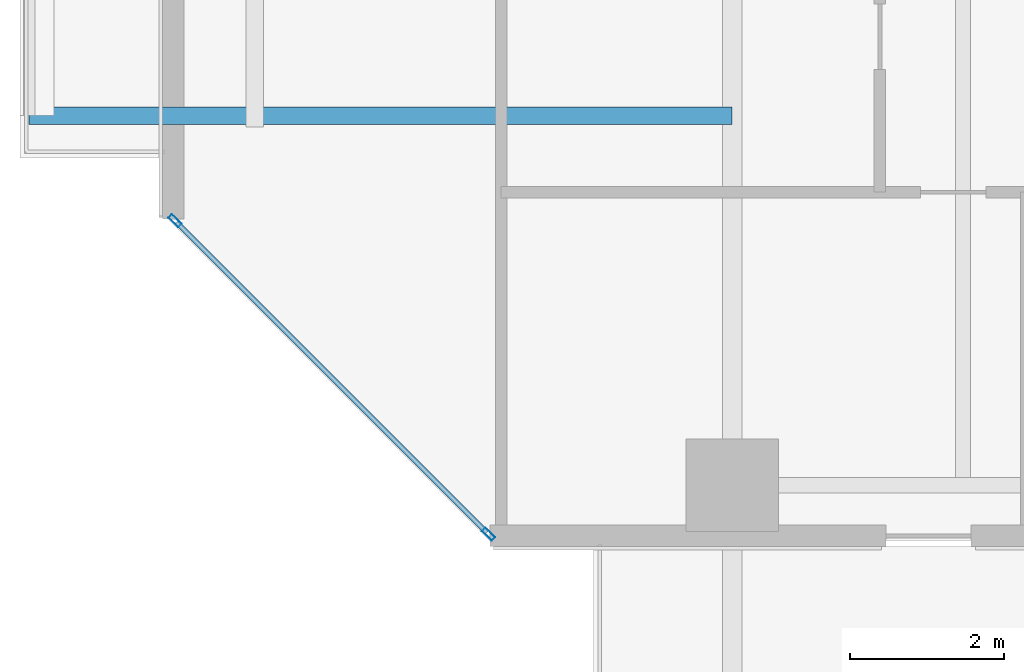
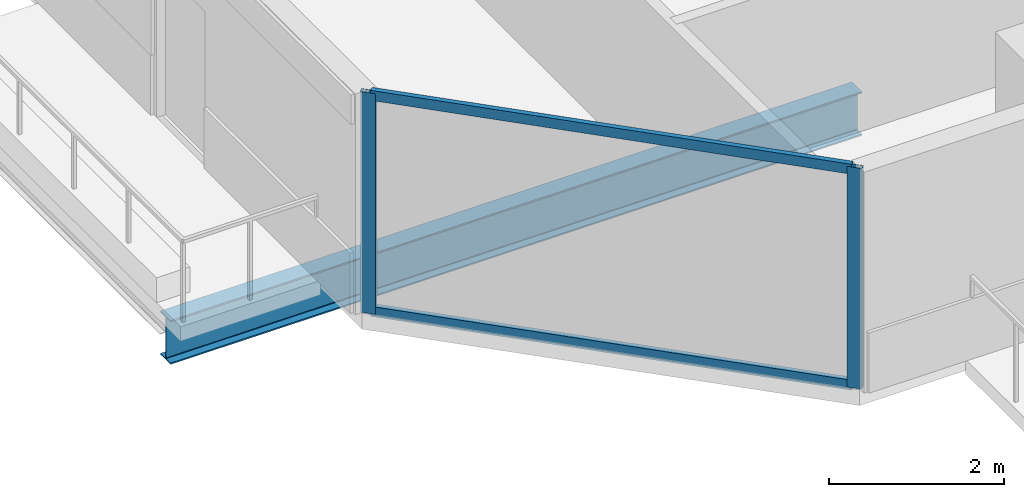
# One storey, part 2 of 33: 4 members, 1 beam, 1 element without a shape of its own.
"""IFC4 building model written with IfcOpenShell, lengths in metres."""

from ifc_helpers import new_model, si_unit, direction, frame, origin, origin_2d, place, context, subcontext, project, spatial, hollow_rectangle, i_section, extrude, material, layer, layer_set, material_profile, profile_set, type_object, element, aggregate, save


model = new_model("IFC4")

# Units and contexts
model_context = context("Model", 3, precision=1e-05, world=origin(), true_north=direction((0.0, 1.0)))
body_context = subcontext(model_context, "Body", "Model", "MODEL_VIEW")
ifc_project = project(units=[si_unit("LENGTHUNIT", "METRE"), si_unit("AREAUNIT", "SQUARE_METRE"), si_unit("VOLUMEUNIT", "CUBIC_METRE"), si_unit("PLANEANGLEUNIT", "RADIAN"), si_unit("MASSUNIT", "GRAM", prefix="KILO")], contexts=[model_context])

# Site, building, storey
site_placement = place(None, origin())
site = spatial("IfcSite", under=ifc_project, at=site_placement, CompositionType="ELEMENT")
building_placement = place(site_placement, origin())
building = spatial("IfcBuilding", under=site, at=building_placement, Name="Tanjung Sevakor Pilgrim Tower", CompositionType="ELEMENT")
storey_placement = place(building_placement, frame((0.0, 0.0, 32.340087890625)))
storey = spatial("IfcBuildingStorey", under=building, at=storey_placement, Name="L08", CompositionType="ELEMENT", Elevation=32.340087890625)

# Beam
ifc_material_1 = material(Name="Steel S355J2", Category="steel")
ifc_material_profile_1 = material_profile(ifc_material_1, i_section(OverallWidth=0.22900390625, OverallDepth=0.6123046875, WebThickness=0.011962890625, FlangeThickness=0.01953125, FilletRadius=0.0126953125, at=origin_2d()))
ifc_profile_set_1 = profile_set([ifc_material_profile_1], Name="Steel S355J2")
beam_type = type_object("IfcBeamType", Name="BM-B-G4-UB_610x229x125", PredefinedType="BEAM", material=ifc_profile_set_1)
beam_placement = place(storey_placement, frame((24.0, 13.199951171875, -0.526123046875), z_axis=(-1.0, 0.0, 0.0), x_axis=(0.0, -1.0, 0.0)))
element("IfcBeam", 1, at=beam_placement, inside=storey, type_object=beam_type, Name="L08 Balcony Overhanging Beam MAIN-W1-1", PredefinedType="BEAM", context=body_context, shape_type="SweptSolid", body=[
    extrude(i_section(OverallWidth=0.22900390625, OverallDepth=0.6123046875, WebThickness=0.011962890625, FlangeThickness=0.01953125, FilletRadius=0.0126953125, at=origin_2d()), origin(), (0.0, 0.0, 1.0), 9.1298828125),
])

# Curtain wall, members
ifc_material_2 = material(Name="Aluminium 6063-T6 and Low-E Glass", Category="aluminium")
ifc_layer = layer(ifc_material_2, 0.179931640625)
ifc_layer_set = layer_set([ifc_layer], Name="CW-SYS-CHAM")
curtain_wall_type = type_object("IfcCurtainWallType", Name="CW-SYS-CHAM", PredefinedType="NOTDEFINED", material=ifc_layer_set)
curtain_wall_placement = place(storey_placement, origin())
curtain_wall = element("IfcCurtainWall", 2, at=curtain_wall_placement, inside=storey, type_object=curtain_wall_type, Name="L08 Curtain Wall CW-CHM-L08-MAIN-15", PredefinedType="NOTDEFINED")
ifc_material_3 = material(Name="Aluminium 6063-T6", Category="aluminium")
ifc_material_profile_2 = material_profile(ifc_material_3, hollow_rectangle(XDim=0.06494140625, YDim=0.179931640625, WallThickness=0.00390625, at=origin_2d()))
ifc_profile_set_2 = profile_set([ifc_material_profile_2], Name="Aluminium 6063-T6")
member_type_1 = type_object("IfcMemberType", Name="TYPE-CWM-1", PredefinedType="MULLION", material=ifc_profile_set_2)
member_1_placement = place(storey_placement, frame((16.762939453125, 11.8349609375, 0.0), z_axis=(0.0, 0.0, 1.0), x_axis=(0.707106781187, 0.707106781187, 0.0)))
member_1 = element("IfcMember", 3, at=member_1_placement, type_object=member_type_1, Name="CW-CHM mullion 1", PredefinedType="MULLION", context=body_context, shape_type="SweptSolid", body=[
    extrude(hollow_rectangle(XDim=0.06494140625, YDim=0.179931640625, WallThickness=0.00390625, at=origin_2d()), origin(), (0.0, 0.0, 1.0), 3.079833984375),
])
member_2_placement = place(storey_placement, frame((20.8349609375, 7.762939453125, 0.0), z_axis=(0.0, 0.0, 1.0), x_axis=(0.707106781187, 0.707106781187, 0.0)))
member_2 = element("IfcMember", 4, at=member_2_placement, type_object=member_type_1, Name="CW-CHM mullion 2", PredefinedType="MULLION", context=body_context, shape_type="SweptSolid", body=[
    extrude(hollow_rectangle(XDim=0.06494140625, YDim=0.179931640625, WallThickness=0.00390625, at=origin_2d()), origin(), (0.0, 0.0, 1.0), 3.079833984375),
])
ifc_material_4 = material(Name="Aluminium 6063-T6", Category="aluminium")
ifc_material_profile_3 = material_profile(ifc_material_4, hollow_rectangle(XDim=0.06494140625, YDim=0.139892578125, WallThickness=0.00390625, at=origin_2d()))
ifc_profile_set_3 = profile_set([ifc_material_profile_3], Name="Aluminium 6063-T6")
member_type_2 = type_object("IfcMemberType", Name="TYPE-CWT-1", PredefinedType="USERDEFINED", material=ifc_profile_set_3)
member_3_placement = place(storey_placement, frame((16.785888671875, 11.81201171875, 0.032470703125), z_axis=(0.707106781187, -0.707106781187, 0.0), x_axis=(0.707106781187, 0.707106781187, 0.0)))
member_3 = element("IfcMember", 5, at=member_3_placement, type_object=member_type_2, Name="CW-CHM transom 1.1", ObjectType="TRANSOM", PredefinedType="USERDEFINED", context=body_context, shape_type="SweptSolid", body=[
    extrude(hollow_rectangle(XDim=0.06494140625, YDim=0.139892578125, WallThickness=0.00390625, at=origin_2d()), origin(), (0.0, 0.0, 1.0), 5.69384765625),
])
member_4_placement = place(storey_placement, frame((16.785888671875, 11.81201171875, 3.04736328125), z_axis=(0.707106781187, -0.707106781187, 0.0), x_axis=(0.707106781187, 0.707106781187, 0.0)))
member_4 = element("IfcMember", 6, at=member_4_placement, type_object=member_type_2, Name="CW-CHM transom 1.2", ObjectType="TRANSOM", PredefinedType="USERDEFINED", context=body_context, shape_type="SweptSolid", body=[
    extrude(hollow_rectangle(XDim=0.06494140625, YDim=0.139892578125, WallThickness=0.00390625, at=origin_2d()), origin(), (0.0, 0.0, 1.0), 5.69384765625),
])
aggregate(curtain_wall, [member_1, member_2, member_3, member_4])

save(model, "model.ifc")
